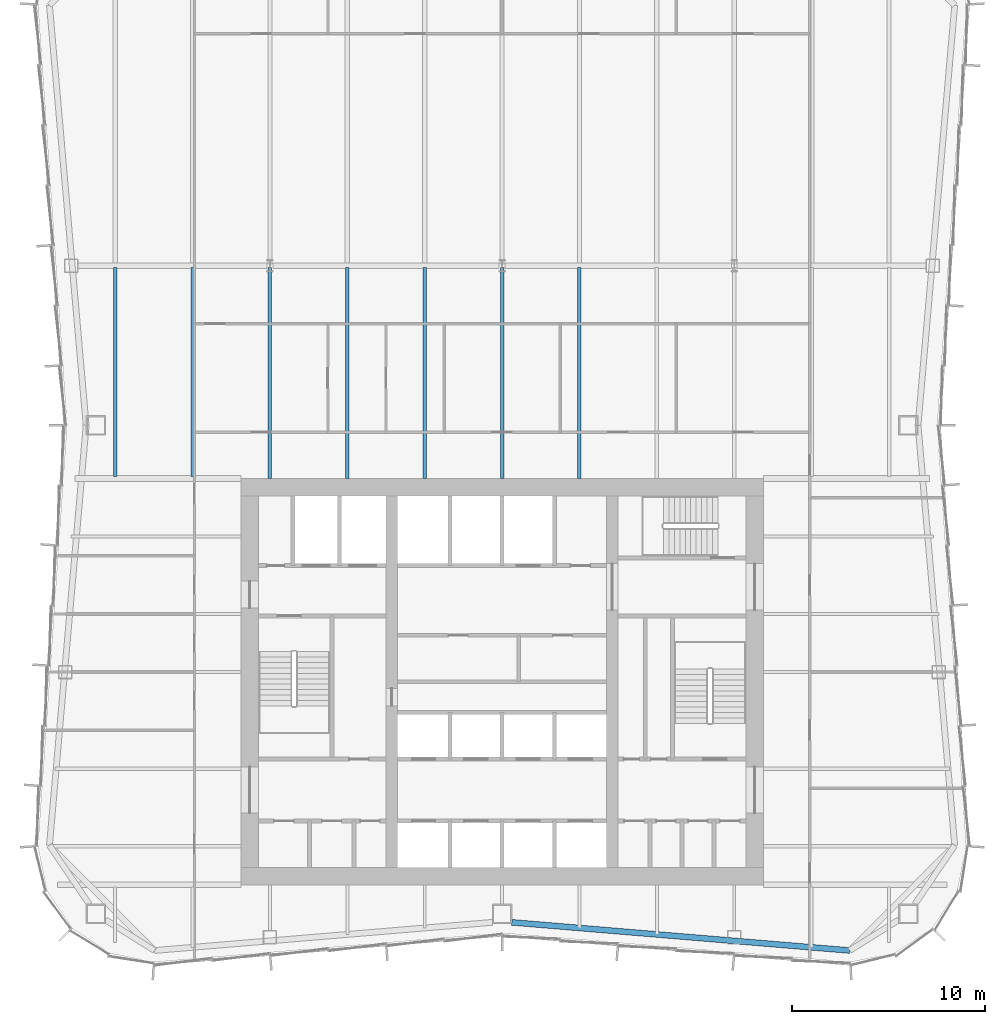
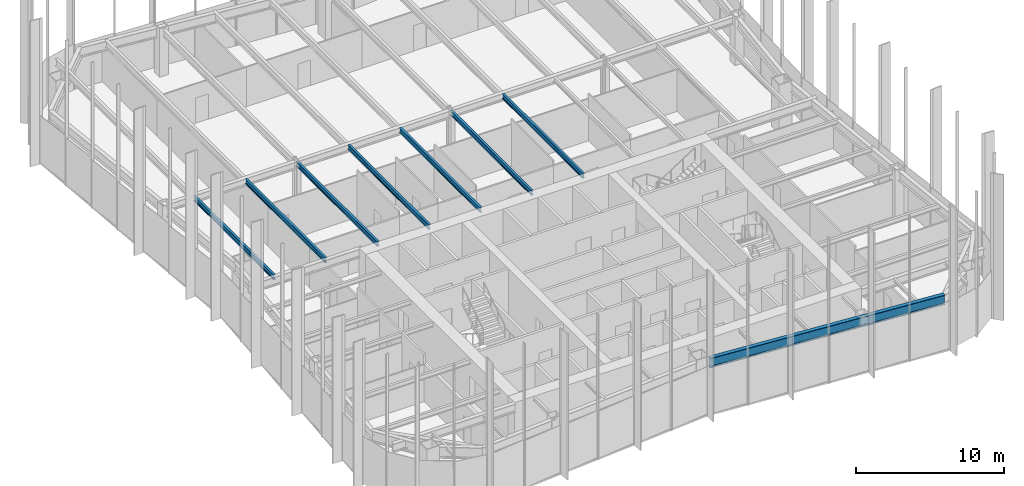
# One storey, part 3 of 13: 8 beams.
"""IFC4 building model written with IfcOpenShell, lengths in metres."""

from ifc_helpers import new_model, si_unit, direction, frame, origin, origin_2d, place, context, subcontext, project, spatial, i_section, extrude, material, material_profile, profile_set, type_object, element, save


model = new_model("IFC4")

# Units and contexts
model_context = context("Model", 3, precision=1e-05, world=origin(), true_north=direction((0.0, 1.0)))
body_context = subcontext(model_context, "Body", "Model", "MODEL_VIEW")
ifc_project = project(units=[si_unit("LENGTHUNIT", "METRE"), si_unit("AREAUNIT", "SQUARE_METRE"), si_unit("VOLUMEUNIT", "CUBIC_METRE"), si_unit("PLANEANGLEUNIT", "RADIAN"), si_unit("MASSUNIT", "GRAM", prefix="KILO")], contexts=[model_context])

# Site, building, storey
site_placement = place(None, origin())
site = spatial("IfcSite", under=ifc_project, at=site_placement, CompositionType="ELEMENT")
building_placement = place(site_placement, origin())
building = spatial("IfcBuilding", under=site, at=building_placement, Name="Verdant Reach Tower", CompositionType="ELEMENT")
storey_placement = place(building_placement, frame((0.0, 0.0, 194.0)))
storey = spatial("IfcBuildingStorey", under=building, at=storey_placement, Name="L44", CompositionType="ELEMENT", Elevation=194.0)

# Beams
ifc_material = material(Name="Steel S355", Category="steel")
ifc_material_profile_1 = material_profile(ifc_material, i_section(OverallWidth=0.179931640625, OverallDepth=0.39990234375, WebThickness=0.008544921875, FlangeThickness=0.013427734375, FilletRadius=0.02099609375, at=origin_2d()), Name="IPE 400")
ifc_profile_set_1 = profile_set([ifc_material_profile_1], Name="Steel S355")
beam_type_1 = type_object("IfcBeamType", Name="ST-JOIST-IPE400", PredefinedType="JOIST", material=ifc_profile_set_1)
for number, where, z_axis, x_axis, name in (
    (1, (-20.0, 38.60009765625, 3.669921875), (0.0, 1.0, 0.0), (-1.0, 0.0, 0.0), "Floor joist, L44"),
    (2, (-16.0, 38.60009765625, 3.669921875), (0.0, 1.0, 0.0), (-1.0, 0.0, 0.0), "Floor joist, L44"),
):
    element("IfcBeam", number, at=place(storey_placement, frame(where, z_axis=z_axis, x_axis=x_axis)), inside=storey, type_object=beam_type_1, Name=name, PredefinedType="JOIST", context=body_context, shape_type="SweptSolid", body=[
        extrude(i_section(OverallWidth=0.179931640625, OverallDepth=0.39990234375, WebThickness=0.008544921875, FlangeThickness=0.013427734375, FilletRadius=0.02099609375, at=origin_2d()), origin(), (0.0, 0.0, 1.0), 10.7998046875),
    ])
for number, where, z_axis, x_axis, name in (
    (3, (-12.0, 38.5, 3.669921875), (0.0, 1.0, 0.0), (-1.0, 0.0, 0.0), "Floor joist, L44"),
    (4, (-8.0, 38.5, 3.669921875), (0.0, 1.0, 0.0), (-1.0, 0.0, 0.0), "Floor joist, L44"),
    (5, (-4.0, 38.5, 3.669921875), (0.0, 1.0, 0.0), (-1.0, 0.0, 0.0), "Floor joist, L44"),
    (6, (0.0, 38.5, 3.669921875), (0.0, 1.0, 0.0), (-1.0, 0.0, 0.0), "Floor joist, L44"),
    (7, (4.0, 38.5, 3.669921875), (0.0, 1.0, 0.0), (-1.0, 0.0, 0.0), "Floor joist, L44"),
):
    element("IfcBeam", number, at=place(storey_placement, frame(where, z_axis=z_axis, x_axis=x_axis)), inside=storey, type_object=beam_type_1, Name=name, PredefinedType="JOIST", context=body_context, shape_type="SweptSolid", body=[
        extrude(i_section(OverallWidth=0.179931640625, OverallDepth=0.39990234375, WebThickness=0.008544921875, FlangeThickness=0.013427734375, FilletRadius=0.02099609375, at=origin_2d()), origin(), (0.0, 0.0, 1.0), 10.89990234375),
    ])
ifc_material_profile_2 = material_profile(ifc_material, i_section(OverallWidth=0.300048828125, OverallDepth=0.800048828125, WebThickness=0.017578125, FlangeThickness=0.032958984375, FilletRadius=0.030029296875, at=origin_2d()), Name="HEB 800")
ifc_profile_set_2 = profile_set([ifc_material_profile_2], Name="Steel S355")
beam_type_2 = type_object("IfcBeamType", Name="ST-SPANDREL-HEB800", PredefinedType="SPANDREL", material=ifc_profile_set_2)
beam_placement = place(storey_placement, frame((17.9658203125, 14.10498046875, 3.469970703125), z_axis=(-0.99654652675, 0.083036257282, 0.0), x_axis=(-0.083036257282, -0.99654652675, 0.0)))
element("IfcBeam", 8, at=beam_placement, inside=storey, type_object=beam_type_2, Name="Edge beam, L44", PredefinedType="SPANDREL", context=body_context, shape_type="SweptSolid", body=[
    extrude(i_section(OverallWidth=0.300048828125, OverallDepth=0.800048828125, WebThickness=0.017578125, FlangeThickness=0.032958984375, FilletRadius=0.030029296875, at=origin_2d()), origin(), (0.0, 0.0, 1.0), 17.5263671875),
])

save(model, "model.ifc")
